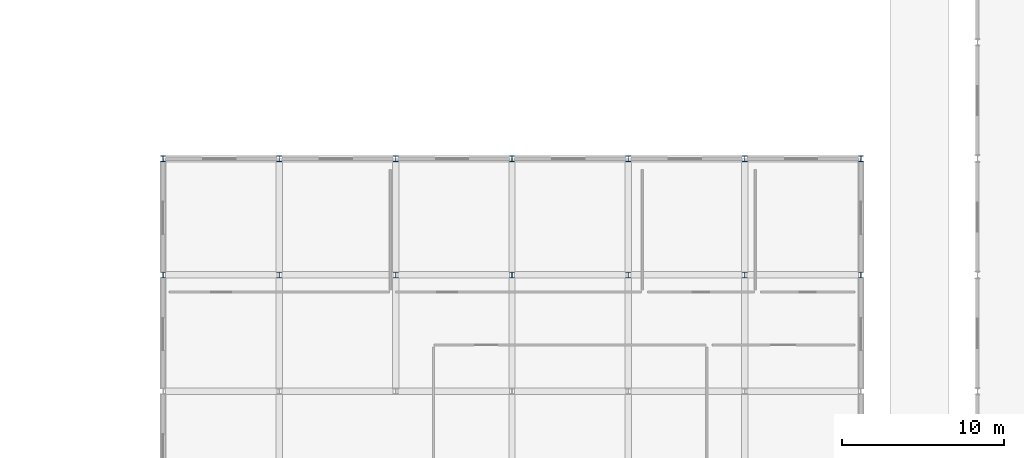
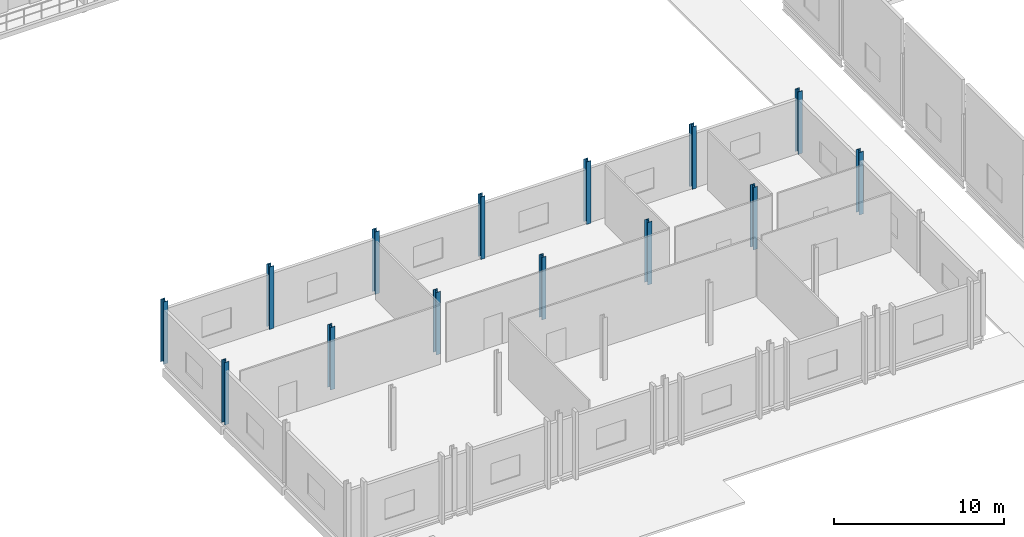
# One storey, part 5 of 110: 14 columns.
"""IFC4 building model written with IfcOpenShell, lengths in metres."""

import ifcopenshell
import ifcopenshell.guid

model = None  # the IFC model being written
_history = None  # IfcOwnerHistory: only IFC2X3 demands one
_inside = {}  # id of a spatial element -> (the spatial element, [elements in it])
_under = {}  # id of a project, library or spatial element -> (it, [spatial elements below it])
_declared = {}  # id of a project -> (the project, [libraries it declares])
_typed = {}  # id of a type object -> (the type object, [elements of that type])
_made_of = {}  # id of a material, layer set ... -> (it, [elements and type objects made of it])


def new_model(schema):
    """Start an empty IFC model of exactly this schema.

    Asked for "IFC4X3", IfcOpenShell would pick the latest addendum, in which some entities
    have other attributes; the version numbers below select the first issue.
    IFC2X3 requires an IfcOwnerHistory on every rooted entity: one is made here for all.
    """
    global model, _history
    if schema == "IFC4X3":
        model = ifcopenshell.file(schema_version=(4, 3, 0, 0))
    else:
        model = ifcopenshell.file(schema=schema)
    _inside.clear()
    _under.clear()
    _declared.clear()
    _typed.clear()
    _made_of.clear()
    _history = None
    if model.schema == "IFC2X3":
        org = make("IfcOrganization", Name="unknown")
        user = make(
            "IfcPersonAndOrganization",
            ThePerson=make("IfcPerson", FamilyName="unknown"),
            TheOrganization=org,
        )
        app = make(
            "IfcApplication",
            ApplicationDeveloper=org,
            Version="unknown",
            ApplicationFullName="unknown",
            ApplicationIdentifier="unknown",
        )
        _history = make(
            "IfcOwnerHistory",
            OwningUser=user,
            OwningApplication=app,
            ChangeAction="ADDED",
            CreationDate=0,
        )
    return model


def make(cls, **values):
    """One entity of the class cls with the attributes given. An attribute that is None is left unset."""
    return model.create_entity(
        cls, **{name: value for name, value in values.items() if value is not None}
    )


def rooted(cls, **values):
    """An entity with a GlobalId (a new one), such as an element, a storey or a relation."""
    return make(cls, GlobalId=ifcopenshell.guid.new(), OwnerHistory=_history, **values)


def si_unit(unit_type, name, prefix=None):
    """IfcSIUnit, for example si_unit("LENGTHUNIT", "METRE", prefix="MILLI")."""
    return make("IfcSIUnit", UnitType=unit_type, Prefix=prefix, Name=name)


def assignment(units):
    """IfcUnitAssignment: the units of a project."""
    return None if units is None else make("IfcUnitAssignment", Units=units)


def point(xyz):
    """IfcCartesianPoint."""
    return None if xyz is None else make("IfcCartesianPoint", Coordinates=xyz)


def direction(xyz):
    """IfcDirection."""
    return None if xyz is None else make("IfcDirection", DirectionRatios=xyz)


def frame(location, z_axis=None, x_axis=None):
    """IfcAxis2Placement3D, a coordinate frame: its origin and axes. An axis left out is left unset."""
    return make(
        "IfcAxis2Placement3D",
        Location=point(location),
        Axis=direction(z_axis),
        RefDirection=direction(x_axis),
    )


def frame_2d(location, x_axis=None):
    """IfcAxis2Placement2D, a coordinate frame in the plane: its origin and x axis."""
    return make(
        "IfcAxis2Placement2D", Location=point(location), RefDirection=direction(x_axis)
    )


def origin():
    """The frame at (0, 0, 0) with its axes left unset."""
    return frame((0.0, 0.0, 0.0))


def origin_2d():
    """The frame at (0, 0) in the plane with its x axis left unset."""
    return frame_2d((0.0, 0.0))


def place(relative_to, where):
    """IfcLocalPlacement: puts the frame where relative to a parent placement (None: the world)."""
    return make(
        "IfcLocalPlacement", PlacementRelTo=relative_to, RelativePlacement=where
    )


def context(
    kind, dimensions, precision=None, world=None, true_north=None, identifier=None
):
    """IfcGeometricRepresentationContext, for example the 3D "Model" context."""
    return make(
        "IfcGeometricRepresentationContext",
        ContextIdentifier=identifier,
        ContextType=kind,
        CoordinateSpaceDimension=dimensions,
        Precision=precision,
        WorldCoordinateSystem=world,
        TrueNorth=true_north,
    )


def subcontext(parent, identifier, kind, view, scale=None):
    """IfcGeometricRepresentationSubContext, for example "Body" below "Model"."""
    return make(
        "IfcGeometricRepresentationSubContext",
        ContextIdentifier=identifier,
        ContextType=kind,
        ParentContext=parent,
        TargetScale=scale,
        TargetView=view,
    )


def project(units=None, contexts=None):
    """IfcProject with its units and contexts."""
    return rooted(
        "IfcProject",
        Name="project",
        RepresentationContexts=contexts,
        UnitsInContext=assignment(units),
    )


def spatial(cls, under=None, at=None, **own):
    """A site, building, storey or space (cls), placed at a placement, below another one or the project."""
    s = rooted(cls, ObjectPlacement=at, **own)
    if under is not None:
        _under.setdefault(under.id(), (under, []))[1].append(s)
    return s


def profile(cls, at=None, kind="AREA", **sizes):
    """A parametric profile (cls). Its sizes go by their IFC names, for example OverallWidth=200.0."""
    return make(cls, ProfileType=kind, Position=at, **sizes)


def i_section(**sizes):
    """IfcIShapeProfileDef."""
    return profile("IfcIShapeProfileDef", **sizes)


def extrude(swept, where, along, depth):
    """IfcExtrudedAreaSolid: the profile swept, set in the frame where, extruded along a direction by depth."""
    return make(
        "IfcExtrudedAreaSolid",
        SweptArea=swept,
        Position=where,
        ExtrudedDirection=direction(along),
        Depth=depth,
    )


def shape(context_of_items, identifier, shape_type, items):
    """IfcShapeRepresentation: the items that make up one representation, for example the "Body"."""
    return make(
        "IfcShapeRepresentation",
        ContextOfItems=context_of_items,
        RepresentationIdentifier=identifier,
        RepresentationType=shape_type,
        Items=items,
    )


def material(Name=None, Category=None):
    """IfcMaterial."""
    return make("IfcMaterial", Name=Name, Category=Category)


def material_profile(
    of_material, cross_section, Name=None, Category=None, Priority=None
):
    """IfcMaterialProfile: a cross section and its material."""
    return make(
        "IfcMaterialProfile",
        Name=Name,
        Material=of_material,
        Profile=cross_section,
        Priority=Priority,
        Category=Category,
    )


def profile_set(profiles, Name=None, composite=None):
    """IfcMaterialProfileSet."""
    return make(
        "IfcMaterialProfileSet",
        Name=Name,
        MaterialProfiles=profiles,
        CompositeProfile=composite,
    )


def made_of(thing, what):
    """Note that an element or type object is made of a material, layer set ...; save() writes the relation."""
    if what is not None:
        _made_of.setdefault(what.id(), (what, []))[1].append(thing)
    return thing


def type_object(cls, material=None, **own):
    """A type object (cls), such as IfcWallType, which elements share."""
    return made_of(rooted(cls, **own), material)


def element(
    cls,
    number,
    at=None,
    inside=None,
    cuts=None,
    type_object=None,
    material=None,
    context=None,
    identifier="Body",
    shape_type=None,
    held_by="IfcProductDefinitionShape",
    body=None,
    shapes=None,
    **own,
):
    """One element of the class cls, such as IfcWall. Its Tag is "e" and its number.

    at: its placement. inside: the storey or other place that contains it. cuts: it is an
    opening in that element (IfcRelVoidsElement). A single representation is given by context,
    identifier, shape_type and body (its items); several are given by shapes. held_by: the class
    of the entity that holds the representations. save() writes the other relations.
    """
    e = rooted(cls, Tag="e%d" % number, ObjectPlacement=at, **own)
    if body is not None:
        shapes = [shape(context, identifier, shape_type, body)]
    if shapes is not None:
        e.Representation = make(held_by, Representations=shapes)
    if inside is not None:
        _inside.setdefault(inside.id(), (inside, []))[1].append(e)
    if cuts is not None:
        rooted(
            "IfcRelVoidsElement", RelatingBuildingElement=cuts, RelatedOpeningElement=e
        )
    if type_object is not None:
        _typed.setdefault(type_object.id(), (type_object, []))[1].append(e)
    return made_of(e, material)


def aggregate(whole, parts):
    """IfcRelAggregates: a whole, such as a stair, and the parts it consists of."""
    return rooted("IfcRelAggregates", RelatingObject=whole, RelatedObjects=parts)


def save(model, path):
    """Write the relations noted so far, then the file.

    IfcRelAggregates (storeys below a building ...), IfcRelContainedInSpatialStructure (elements
    in a storey), IfcRelDefinesByType, IfcRelAssociatesMaterial and IfcRelDeclares: one each for
    every whole, place, type object, material and project.
    """
    for whole, parts in _under.values():
        aggregate(whole, parts)
    for where, things in _inside.values():
        rooted(
            "IfcRelContainedInSpatialStructure",
            RelatedElements=things,
            RelatingStructure=where,
        )
    for kind, things in _typed.values():
        rooted("IfcRelDefinesByType", RelatedObjects=things, RelatingType=kind)
    for what, things in _made_of.values():
        rooted("IfcRelAssociatesMaterial", RelatedObjects=things, RelatingMaterial=what)
    for by, libraries in _declared.values():
        rooted("IfcRelDeclares", RelatingContext=by, RelatedDefinitions=libraries)
    model.write(path)


model = new_model("IFC4")

# Units and contexts
model_context = context("Model", 3, precision=1e-05, world=origin(), true_north=direction((0.0, 1.0)))
body_context = subcontext(model_context, "Body", "Model", "MODEL_VIEW")
ifc_project = project(units=[si_unit("LENGTHUNIT", "METRE"), si_unit("AREAUNIT", "SQUARE_METRE"), si_unit("VOLUMEUNIT", "CUBIC_METRE"), si_unit("PLANEANGLEUNIT", "RADIAN"), si_unit("MASSUNIT", "GRAM", prefix="KILO")], contexts=[model_context])

# Site, building, storey
site_placement = place(None, origin())
site = spatial("IfcSite", under=ifc_project, at=site_placement, CompositionType="ELEMENT")
building_placement = place(site_placement, origin())
building = spatial("IfcBuilding", under=site, at=building_placement, Name="Suanplinth Sawtooth Commons", CompositionType="ELEMENT")
storey_placement = place(building_placement, frame((0.0, 0.0, 4.5)))
storey = spatial("IfcBuildingStorey", under=building, at=storey_placement, Name="L01", CompositionType="ELEMENT", Elevation=4.5)

# Columns
ifc_material = material(Name="Steel S355JR", Category="steel")
ifc_material_profile = material_profile(ifc_material, i_section(OverallWidth=0.300048828125, OverallDepth=0.360107421875, WebThickness=0.012451171875, FlangeThickness=0.0224609375, at=origin_2d()), Name="HEB 360")
ifc_profile_set = profile_set([ifc_material_profile], Name="Steel S355JR")
column_type = type_object("IfcColumnType", Name="C-10", PredefinedType="COLUMN", material=ifc_profile_set)
for number, where, z_axis, x_axis, name in (
    (1, (14.39990234375, 64.800048828125, 0.0), (0.0, 0.0, 1.0), (1.0, 0.0, 0.0), "Column L01 3/K"),
    (2, (14.39990234375, 72.0, 0.0), (0.0, 0.0, 1.0), (1.0, 0.0, 0.0), "Column L01 3/L"),
    (3, (21.60009765625, 64.800048828125, 0.0), (0.0, 0.0, 1.0), (1.0, 0.0, 0.0), "Column L01 4/K"),
    (4, (21.60009765625, 72.0, 0.0), (0.0, 0.0, 1.0), (1.0, 0.0, 0.0), "Column L01 4/L"),
    (5, (28.800048828125, 64.800048828125, 0.0), (0.0, 0.0, 1.0), (1.0, 0.0, 0.0), "Column L01 5/K"),
    (6, (28.800048828125, 72.0, 0.0), (0.0, 0.0, 1.0), (1.0, 0.0, 0.0), "Column L01 5/L"),
    (7, (36.0, 64.800048828125, 0.0), (0.0, 0.0, 1.0), (1.0, 0.0, 0.0), "Column L01 6/K"),
    (8, (36.0, 72.0, 0.0), (0.0, 0.0, 1.0), (1.0, 0.0, 0.0), "Column L01 6/L"),
    (9, (43.199951171875, 64.800048828125, 0.0), (0.0, 0.0, 1.0), (1.0, 0.0, 0.0), "Column L01 7/K"),
    (10, (43.199951171875, 72.0, 0.0), (0.0, 0.0, 1.0), (1.0, 0.0, 0.0), "Column L01 7/L"),
    (11, (50.39990234375, 64.800048828125, 0.0), (0.0, 0.0, 1.0), (1.0, 0.0, 0.0), "Column L01 8/K"),
    (12, (50.39990234375, 72.0, 0.0), (0.0, 0.0, 1.0), (1.0, 0.0, 0.0), "Column L01 8/L"),
    (13, (57.60009765625, 64.800048828125, 0.0), (0.0, 0.0, 1.0), (1.0, 0.0, 0.0), "Column L01 9/K"),
    (14, (57.60009765625, 72.0, 0.0), (0.0, 0.0, 1.0), (1.0, 0.0, 0.0), "Column L01 9/L"),
):
    element("IfcColumn", number, at=place(storey_placement, frame(where, z_axis=z_axis, x_axis=x_axis)), inside=storey, type_object=column_type, Name=name, PredefinedType="COLUMN", context=body_context, shape_type="SweptSolid", body=[
        extrude(i_section(OverallWidth=0.300048828125, OverallDepth=0.360107421875, WebThickness=0.012451171875, FlangeThickness=0.0224609375, at=origin_2d()), origin(), (0.0, 0.0, 1.0), 4.5),
    ])

save(model, "model.ifc")
